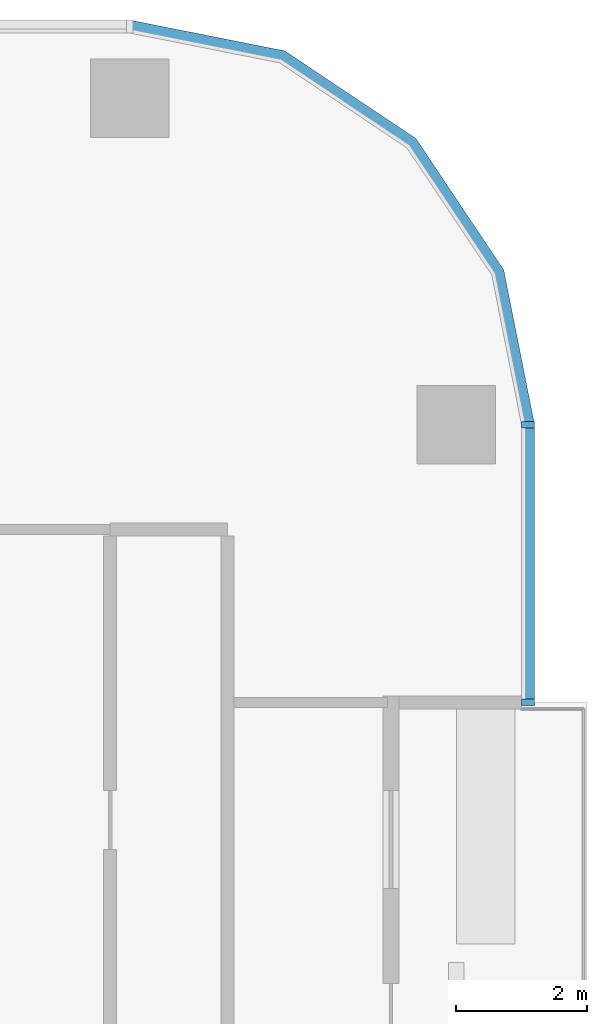
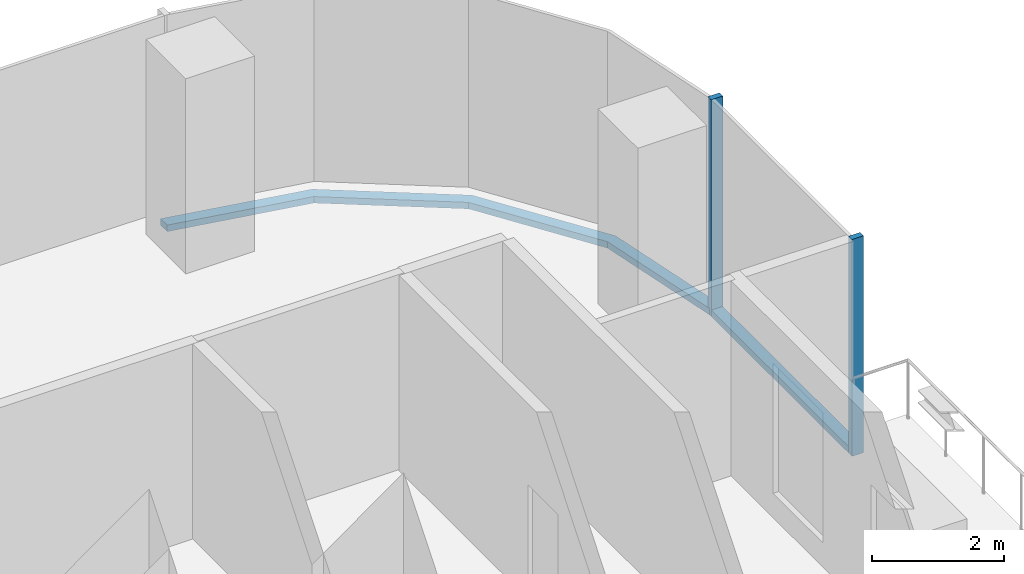
# One storey, part 5 of 14: 4 members, 2 elements without a shape of their own.
"""IFC4 building model written with IfcOpenShell, lengths in metres."""

from ifc_helpers import new_model, si_unit, direction, frame, origin, origin_2d, place, context, subcontext, project, spatial, polyline, rectangle, outline, extrude, material, material_profile, profile_set, type_object, element, aggregate, save


model = new_model("IFC4")

# Units and contexts
model_context = context("Model", 3, precision=1e-05, world=origin(), true_north=direction((0.0, 1.0)))
body_context = subcontext(model_context, "Body", "Model", "MODEL_VIEW")
ifc_project = project(units=[si_unit("LENGTHUNIT", "METRE"), si_unit("AREAUNIT", "SQUARE_METRE"), si_unit("VOLUMEUNIT", "CUBIC_METRE"), si_unit("PLANEANGLEUNIT", "RADIAN"), si_unit("MASSUNIT", "GRAM", prefix="KILO")], contexts=[model_context])

# Site, building, storey
site_placement = place(None, origin())
site = spatial("IfcSite", under=ifc_project, at=site_placement, CompositionType="ELEMENT")
building_placement = place(site_placement, origin())
building = spatial("IfcBuilding", under=site, at=building_placement, Name="Mopane Tessera Tower", CompositionType="ELEMENT")
storey_placement = place(building_placement, frame((0.0, 0.0, 161.0)))
storey = spatial("IfcBuildingStorey", under=building, at=storey_placement, Name="L32", CompositionType="ELEMENT", Elevation=161.0)

# Curtain wall, members
ifc_material_1 = material(Name="Aluminium frame", Category="aluminium")
curtain_wall_type = type_object("IfcCurtainWallType", Name="Unitised curtain wall", PredefinedType="NOTDEFINED", material=ifc_material_1)
curtain_wall_1_placement = place(storey_placement, origin())
curtain_wall_1 = element("IfcCurtainWall", 1, at=curtain_wall_1_placement, inside=storey, type_object=curtain_wall_type, Name="e:cw:L32:E:7", PredefinedType="NOTDEFINED")
ifc_material_2 = material(Name="Aluminium frame", Category="aluminium")
ifc_material_profile_1 = material_profile(ifc_material_2, rectangle(XDim=0.10009765625, YDim=0.199951171875, at=origin_2d()))
ifc_profile_set_1 = profile_set([ifc_material_profile_1], Name="Aluminium frame")
member_type_1 = type_object("IfcMemberType", Name="Aluminium mullion 100 x 200", PredefinedType="MULLION", material=ifc_profile_set_1)
member_1_placement = place(storey_placement, frame((26.300048828125, 12.75, -0.39990234375), z_axis=(0.0, 0.0, 1.0), x_axis=(0.0, 1.0, 0.0)))
member_1 = element("IfcMember", 2, at=member_1_placement, type_object=member_type_1, Name="e:cw:L32:E:7:mu7", PredefinedType="MULLION", context=body_context, shape_type="SweptSolid", body=[
    extrude(rectangle(XDim=0.10009765625, YDim=0.199951171875, at=origin_2d()), origin(), (0.0, 0.0, 1.0), 4.0),
])
member_2_placement = place(storey_placement, frame((26.300048828125, 17.0, -0.39990234375), z_axis=(0.0, 0.0, 1.0), x_axis=(0.0, 1.0, 0.0)))
member_2 = element("IfcMember", 3, at=member_2_placement, type_object=member_type_1, Name="e:cw:L32:E:7:mu8", PredefinedType="MULLION", context=body_context, shape_type="SweptSolid", body=[
    extrude(rectangle(XDim=0.10009765625, YDim=0.199951171875, at=origin_2d()), origin(), (0.0, 0.0, 1.0), 4.0),
])
ifc_material_3 = material(Name="Aluminium frame", Category="aluminium")
ifc_material_profile_2 = material_profile(ifc_material_3, rectangle(XDim=0.199951171875, YDim=0.1201171875, at=origin_2d()))
ifc_profile_set_2 = profile_set([ifc_material_profile_2], Name="Aluminium frame")
member_type_2 = type_object("IfcMemberType", Name="Aluminium transom 200 x 120", PredefinedType="USERDEFINED", material=ifc_profile_set_2)
member_3_placement = place(storey_placement, frame((26.300048828125, 12.800048828125, -0.340087890625), z_axis=(0.0, 1.0, 0.0), x_axis=(-1.0, 0.0, 0.0)))
member_3 = element("IfcMember", 4, at=member_3_placement, type_object=member_type_2, Name="e:cw:L32:E:7:tr7", ObjectType="TRANSOM", PredefinedType="USERDEFINED", context=body_context, shape_type="SweptSolid", body=[
    extrude(rectangle(XDim=0.199951171875, YDim=0.1201171875, at=origin_2d()), origin(), (0.0, 0.0, 1.0), 4.14990234375),
])
aggregate(curtain_wall_1, [member_1, member_2, member_3])

# Curtain wall, member
curtain_wall_2_placement = place(storey_placement, origin())
curtain_wall_2 = element("IfcCurtainWall", 5, at=curtain_wall_2_placement, inside=storey, type_object=curtain_wall_type, Name="e:cw:L32:CE", PredefinedType="NOTDEFINED")
member_4_placement = place(storey_placement, frame((0.0, 0.0, -0.39990234375)))
member_4 = element("IfcMember", 6, at=member_4_placement, type_object=member_type_2, Name="e:cw:L32:CE:tr", ObjectType="TRANSOM", PredefinedType="USERDEFINED", context=body_context, shape_type="SweptSolid", body=[
    extrude(outline(polyline([(26.199951171875, 17.0), (25.7431640625, 19.296142578125), (24.442626953125, 21.24267578125), (22.49609375, 22.543212890625), (20.199951171875, 23.0), (20.199951171875, 23.199951171875), (22.57275390625, 22.72802734375), (24.583984375, 21.384033203125), (25.927978515625, 19.37255859375), (26.39990234375, 17.0), (26.199951171875, 17.0)])), origin(), (0.0, 0.0, 1.0), 0.119873046875),
])
aggregate(curtain_wall_2, [member_4])

save(model, "model.ifc")
